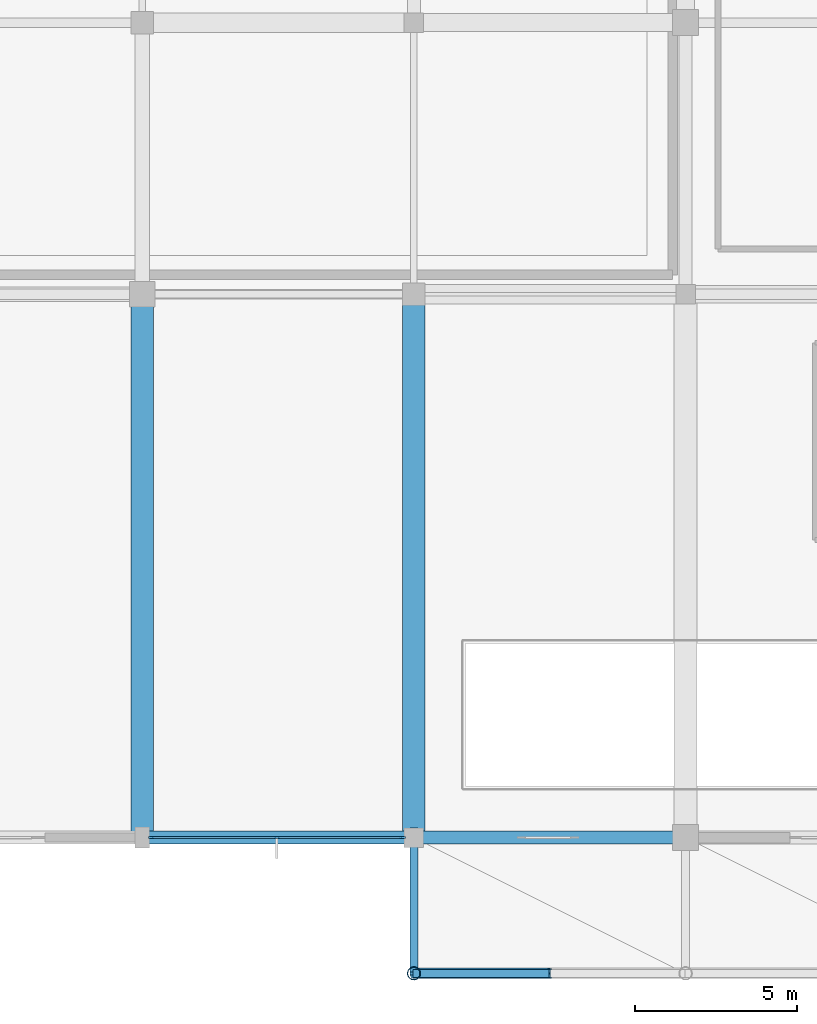
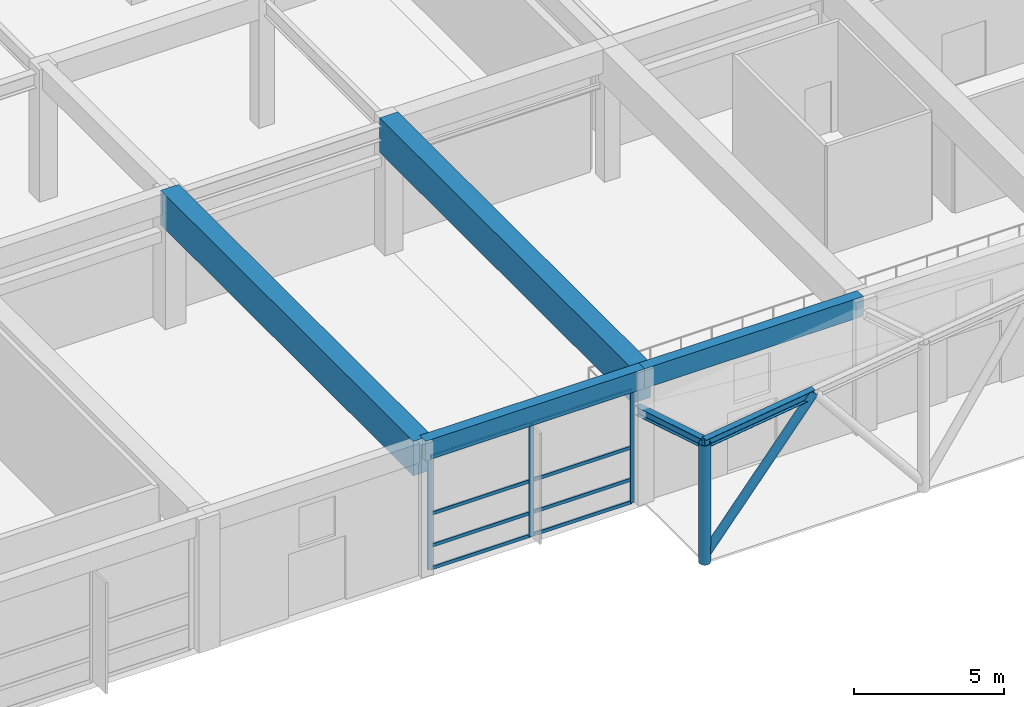
# One storey, part 11 of 62: 15 members, 4 beams, 1 element without a shape of its own.
"""IFC4 building model written with IfcOpenShell, lengths in metres."""

from ifc_helpers import new_model, si_unit, direction, frame, origin, origin_2d, place, context, subcontext, project, spatial, rectangle, hollow_circle, i_section, extrude, material, material_profile, profile_set, type_object, element, aggregate, save


model = new_model("IFC4")

# Units and contexts
model_context = context("Model", 3, precision=1e-05, world=origin(), true_north=direction((0.0, 1.0)))
body_context = subcontext(model_context, "Body", "Model", "MODEL_VIEW")
ifc_project = project(units=[si_unit("LENGTHUNIT", "METRE"), si_unit("AREAUNIT", "SQUARE_METRE"), si_unit("VOLUMEUNIT", "CUBIC_METRE"), si_unit("PLANEANGLEUNIT", "RADIAN"), si_unit("MASSUNIT", "GRAM", prefix="KILO")], contexts=[model_context])

# Site, building, storey
site_placement = place(None, origin())
site = spatial("IfcSite", under=ifc_project, at=site_placement, CompositionType="ELEMENT")
building_placement = place(site_placement, origin())
building = spatial("IfcBuilding", under=site, at=building_placement, Name="Xuanlan Plaza Opera House", CompositionType="ELEMENT")
storey_placement = place(building_placement, origin())
storey = spatial("IfcBuildingStorey", under=building, at=storey_placement, Name="L00", CompositionType="ELEMENT", Elevation=0.0)

# Curtain wall, members
ifc_material_1 = material(Name="Anodised Aluminium 6063-T6 and Low-E Glass", Category="aluminium")
curtain_wall_type = type_object("IfcCurtainWallType", Name="ENV-CW-CW-03", PredefinedType="USERDEFINED", material=ifc_material_1)
curtain_wall_placement = place(storey_placement, origin())
curtain_wall = element("IfcCurtainWall", 1, at=curtain_wall_placement, inside=storey, type_object=curtain_wall_type, Name="Unitised Curtain Wall L00-005", ObjectType="UNITISED CURTAIN WALL", PredefinedType="USERDEFINED")
ifc_material_2 = material(Name="Anodised Aluminium 6063-T6", Category="aluminium")
ifc_material_profile_1 = material_profile(ifc_material_2, rectangle(XDim=0.070068359375, YDim=0.179931640625, at=origin_2d()), Name="ALU-M 70x180")
ifc_profile_set_1 = profile_set([ifc_material_profile_1], Name="Anodised Aluminium 6063-T6")
member_type_1 = type_object("IfcMemberType", Name="ENV-CWM-02", PredefinedType="MULLION", material=ifc_profile_set_1)
member_1_placement = place(storey_placement, frame((50.679931640625, 0.0, 0.0), z_axis=(0.0, 0.0, 1.0), x_axis=(0.0, 1.0, 0.0)))
member_1 = element("IfcMember", 2, at=member_1_placement, type_object=member_type_1, Name="CW-03 mullion 1", PredefinedType="MULLION", context=body_context, shape_type="SweptSolid", body=[
    extrude(rectangle(XDim=0.070068359375, YDim=0.179931640625, at=origin_2d()), origin(), (0.0, 0.0, 1.0), 4.580078125),
])
member_2_placement = place(storey_placement, frame((54.5625, 0.0, 0.0), z_axis=(0.0, 0.0, 1.0), x_axis=(0.0, 1.0, 0.0)))
member_2 = element("IfcMember", 3, at=member_2_placement, type_object=member_type_1, Name="CW-03 mullion 2", PredefinedType="MULLION", context=body_context, shape_type="SweptSolid", body=[
    extrude(rectangle(XDim=0.070068359375, YDim=0.179931640625, at=origin_2d()), origin(), (0.0, 0.0, 1.0), 4.580078125),
])
member_3_placement = place(storey_placement, frame((58.445068359375, 0.0, 0.0), z_axis=(0.0, 0.0, 1.0), x_axis=(0.0, 1.0, 0.0)))
member_3 = element("IfcMember", 4, at=member_3_placement, type_object=member_type_1, Name="CW-03 mullion 3", PredefinedType="MULLION", context=body_context, shape_type="SweptSolid", body=[
    extrude(rectangle(XDim=0.070068359375, YDim=0.179931640625, at=origin_2d()), origin(), (0.0, 0.0, 1.0), 4.580078125),
])
ifc_material_profile_2 = material_profile(ifc_material_2, rectangle(XDim=0.070068359375, YDim=0.135009765625, at=origin_2d()), Name="ALU-T 70x135")
ifc_profile_set_2 = profile_set([ifc_material_profile_2], Name="Anodised Aluminium 6063-T6")
member_type_2 = type_object("IfcMemberType", Name="ENV-CWT-02", PredefinedType="USERDEFINED", material=ifc_profile_set_2)
member_4_placement = place(storey_placement, frame((50.715087890625, 0.0, 0.034912109375), z_axis=(1.0, 0.0, 0.0), x_axis=(0.0, 1.0, 0.0)))
member_4 = element("IfcMember", 5, at=member_4_placement, type_object=member_type_2, Name="CW-03 transom 1.1", ObjectType="TRANSOM", PredefinedType="USERDEFINED", context=body_context, shape_type="SweptSolid", body=[
    extrude(rectangle(XDim=0.070068359375, YDim=0.135009765625, at=origin_2d()), origin(), (0.0, 0.0, 1.0), 3.8125),
])
member_5_placement = place(storey_placement, frame((50.715087890625, 0.0, 0.949951171875), z_axis=(1.0, 0.0, 0.0), x_axis=(0.0, 1.0, 0.0)))
member_5 = element("IfcMember", 6, at=member_5_placement, type_object=member_type_2, Name="CW-03 transom 1.2", ObjectType="TRANSOM", PredefinedType="USERDEFINED", context=body_context, shape_type="SweptSolid", body=[
    extrude(rectangle(XDim=0.070068359375, YDim=0.135009765625, at=origin_2d()), origin(), (0.0, 0.0, 1.0), 3.8125),
])
member_6_placement = place(storey_placement, frame((50.715087890625, 0.0, 2.25), z_axis=(1.0, 0.0, 0.0), x_axis=(0.0, 1.0, 0.0)))
member_6 = element("IfcMember", 7, at=member_6_placement, type_object=member_type_2, Name="CW-03 transom 1.3", ObjectType="TRANSOM", PredefinedType="USERDEFINED", context=body_context, shape_type="SweptSolid", body=[
    extrude(rectangle(XDim=0.070068359375, YDim=0.135009765625, at=origin_2d()), origin(), (0.0, 0.0, 1.0), 3.8125),
])
member_7_placement = place(storey_placement, frame((50.715087890625, 0.0, 4.544921875), z_axis=(1.0, 0.0, 0.0), x_axis=(0.0, 1.0, 0.0)))
member_7 = element("IfcMember", 8, at=member_7_placement, type_object=member_type_2, Name="CW-03 transom 1.4", ObjectType="TRANSOM", PredefinedType="USERDEFINED", context=body_context, shape_type="SweptSolid", body=[
    extrude(rectangle(XDim=0.070068359375, YDim=0.135009765625, at=origin_2d()), origin(), (0.0, 0.0, 1.0), 3.8125),
])
member_8_placement = place(storey_placement, frame((54.597412109375, 0.0, 0.034912109375), z_axis=(1.0, 0.0, 0.0), x_axis=(0.0, 1.0, 0.0)))
member_8 = element("IfcMember", 9, at=member_8_placement, type_object=member_type_2, Name="CW-03 transom 2.1", ObjectType="TRANSOM", PredefinedType="USERDEFINED", context=body_context, shape_type="SweptSolid", body=[
    extrude(rectangle(XDim=0.070068359375, YDim=0.135009765625, at=origin_2d()), origin(), (0.0, 0.0, 1.0), 3.8125),
])
member_9_placement = place(storey_placement, frame((54.597412109375, 0.0, 0.949951171875), z_axis=(1.0, 0.0, 0.0), x_axis=(0.0, 1.0, 0.0)))
member_9 = element("IfcMember", 10, at=member_9_placement, type_object=member_type_2, Name="CW-03 transom 2.2", ObjectType="TRANSOM", PredefinedType="USERDEFINED", context=body_context, shape_type="SweptSolid", body=[
    extrude(rectangle(XDim=0.070068359375, YDim=0.135009765625, at=origin_2d()), origin(), (0.0, 0.0, 1.0), 3.8125),
])
member_10_placement = place(storey_placement, frame((54.597412109375, 0.0, 2.25), z_axis=(1.0, 0.0, 0.0), x_axis=(0.0, 1.0, 0.0)))
member_10 = element("IfcMember", 11, at=member_10_placement, type_object=member_type_2, Name="CW-03 transom 2.3", ObjectType="TRANSOM", PredefinedType="USERDEFINED", context=body_context, shape_type="SweptSolid", body=[
    extrude(rectangle(XDim=0.070068359375, YDim=0.135009765625, at=origin_2d()), origin(), (0.0, 0.0, 1.0), 3.8125),
])
member_11_placement = place(storey_placement, frame((54.597412109375, 0.0, 4.544921875), z_axis=(1.0, 0.0, 0.0), x_axis=(0.0, 1.0, 0.0)))
member_11 = element("IfcMember", 12, at=member_11_placement, type_object=member_type_2, Name="CW-03 transom 2.4", ObjectType="TRANSOM", PredefinedType="USERDEFINED", context=body_context, shape_type="SweptSolid", body=[
    extrude(rectangle(XDim=0.070068359375, YDim=0.135009765625, at=origin_2d()), origin(), (0.0, 0.0, 1.0), 3.8125),
])
aggregate(curtain_wall, [member_1, member_2, member_3, member_4, member_5, member_6, member_7, member_8, member_9, member_10, member_11])

# Beams
ifc_material_3 = material(Name="Concrete C50", Category="concrete")
ifc_material_profile_3 = material_profile(ifc_material_3, rectangle(XDim=0.699951171875, YDim=1.39990234375, at=origin_2d()), Name="RC-LG 700x1400")
ifc_profile_set_3 = profile_set([ifc_material_profile_3], Name="Concrete C50")
beam_type_1 = type_object("IfcBeamType", Name="STR-BM-LG-01", PredefinedType="BEAM", material=ifc_profile_set_3)
for number, where, z_axis, x_axis, name in (
    (13, (50.39990234375, 0.0, 4.699951171875), (0.0, 1.0, 0.0), (-1.0, 0.0, 0.0), "Grid Beam Y L00 7/A-C"),
    (14, (58.800048828125, 0.0, 4.699951171875), (0.0, 1.0, 0.0), (-1.0, 0.0, 0.0), "Grid Beam Y L00 8/A-C"),
):
    element("IfcBeam", number, at=place(storey_placement, frame(where, z_axis=z_axis, x_axis=x_axis)), inside=storey, type_object=beam_type_1, Name=name, PredefinedType="BEAM", context=body_context, shape_type="SweptSolid", body=[
        extrude(rectangle(XDim=0.699951171875, YDim=1.39990234375, at=origin_2d()), origin(), (0.0, 0.0, 1.0), 16.800048828125),
    ])
ifc_material_4 = material(Name="Concrete C40", Category="concrete")
ifc_material_profile_4 = material_profile(ifc_material_4, rectangle(XDim=0.39990234375, YDim=0.800048828125, at=origin_2d()), Name="RC-SPD 400x800")
ifc_profile_set_4 = profile_set([ifc_material_profile_4], Name="Concrete C40")
beam_type_2 = type_object("IfcBeamType", Name="STR-BM-SP-01", PredefinedType="SPANDREL", material=ifc_profile_set_4)
beam_1_placement = place(storey_placement, frame((50.39990234375, 0.0, 5.0), z_axis=(1.0, 0.0, 0.0), x_axis=(0.0, 1.0, 0.0)))
element("IfcBeam", 15, at=beam_1_placement, inside=storey, type_object=beam_type_2, Name="Grid Beam X L00 7-8/A", PredefinedType="SPANDREL", context=body_context, shape_type="SweptSolid", body=[
    extrude(rectangle(XDim=0.39990234375, YDim=0.800048828125, at=origin_2d()), origin(), (0.0, 0.0, 1.0), 8.400146484375),
])
beam_2_placement = place(storey_placement, frame((58.800048828125, 0.0, 5.0), z_axis=(1.0, 0.0, 0.0), x_axis=(0.0, 1.0, 0.0)))
element("IfcBeam", 16, at=beam_2_placement, inside=storey, type_object=beam_type_2, Name="Grid Beam X L00 8-9/A", PredefinedType="SPANDREL", context=body_context, shape_type="SweptSolid", body=[
    extrude(rectangle(XDim=0.39990234375, YDim=0.800048828125, at=origin_2d()), origin(), (0.0, 0.0, 1.0), 8.39990234375),
])

# Members
ifc_material_5 = material(Name="Steel Q390B", Category="steel")
ifc_material_profile_5 = material_profile(ifc_material_5, hollow_circle(Radius=0.203125, WallThickness=0.01611328125, at=origin_2d()), Name="CHS 406.4x16")
ifc_profile_set_5 = profile_set([ifc_material_profile_5], Name="Steel Q390B")
member_type_3 = type_object("IfcMemberType", Name="STR-MEM-BR-01", PredefinedType="BRACE", material=ifc_profile_set_5)
member_12_placement = place(storey_placement, frame((58.800048828125, -4.199951171875, 0.001953125), z_axis=(0.0, 0.0, 1.0), x_axis=(1.0, 0.0, 0.0)))
element("IfcMember", 17, at=member_12_placement, inside=storey, type_object=member_type_3, Name="Plaza Canopy Grounded Steel Pier 8", PredefinedType="BRACE", context=body_context, shape_type="SweptSolid", body=[
    extrude(hollow_circle(Radius=0.203125, WallThickness=0.01611328125, at=origin_2d()), origin(), (0.0, 0.0, 1.0), 4.838134765625),
])
ifc_material_6 = material(Name="Steel Q355B", Category="steel")
ifc_material_profile_6 = material_profile(ifc_material_6, hollow_circle(Radius=0.161865234375, WallThickness=0.013916015625, at=origin_2d()), Name="CHS 323.9x14")
ifc_profile_set_6 = profile_set([ifc_material_profile_6], Name="Steel Q355B")
member_type_4 = type_object("IfcMemberType", Name="STR-MEM-BR-03", PredefinedType="BRACE", material=ifc_profile_set_6)
member_13_placement = place(storey_placement, frame((58.800048828125, -4.199951171875, 0.280029296875), z_axis=(0.633109520171, 0.0, 0.774062229713), x_axis=(0.0, 1.0, 0.0)))
element("IfcMember", 18, at=member_13_placement, inside=storey, type_object=member_type_4, Name="Plaza Canopy V-Strut 01L", PredefinedType="BRACE", context=body_context, shape_type="SweptSolid", body=[
    extrude(hollow_circle(Radius=0.161865234375, WallThickness=0.013916015625, at=origin_2d()), origin(), (0.0, 0.0, 1.0), 6.6337890625),
])
ifc_material_profile_7 = material_profile(ifc_material_6, i_section(OverallWidth=0.25, OverallDepth=0.340087890625, WebThickness=0.009033203125, FlangeThickness=0.013916015625, FilletRadius=0.01611328125, at=origin_2d()), Name="HM 340x250x9x14")
ifc_profile_set_7 = profile_set([ifc_material_profile_7], Name="Steel Q355B")
member_type_5 = type_object("IfcMemberType", Name="STR-MEM-TC-01", PredefinedType="CHORD", material=ifc_profile_set_7)
member_14_placement = place(storey_placement, frame((58.800048828125, 0.25, 3.489990234375), z_axis=(0.0, -0.956927209305, 0.290327945765), x_axis=(1.0, 0.0, 0.0)))
element("IfcMember", 19, at=member_14_placement, inside=storey, type_object=member_type_5, Name="Plaza Canopy Transverse Arch Rib 8", PredefinedType="CHORD", context=body_context, shape_type="SweptSolid", body=[
    extrude(i_section(OverallWidth=0.25, OverallDepth=0.340087890625, WebThickness=0.009033203125, FlangeThickness=0.013916015625, FilletRadius=0.01611328125, at=origin_2d()), origin(), (0.0, 0.0, 1.0), 4.650146484375),
])
member_15_placement = place(storey_placement, frame((58.800048828125, -4.199951171875, 4.840087890625), z_axis=(0.990759590927, 0.0, 0.13562976438), x_axis=(0.0, 1.0, 0.0)))
element("IfcMember", 20, at=member_15_placement, inside=storey, type_object=member_type_5, Name="Plaza Canopy Arched Prow Chord 01A", PredefinedType="CHORD", context=body_context, shape_type="SweptSolid", body=[
    extrude(i_section(OverallWidth=0.25, OverallDepth=0.340087890625, WebThickness=0.009033203125, FlangeThickness=0.013916015625, FilletRadius=0.01611328125, at=origin_2d()), origin(), (0.0, 0.0, 1.0), 4.239013671875),
])

save(model, "model.ifc")
